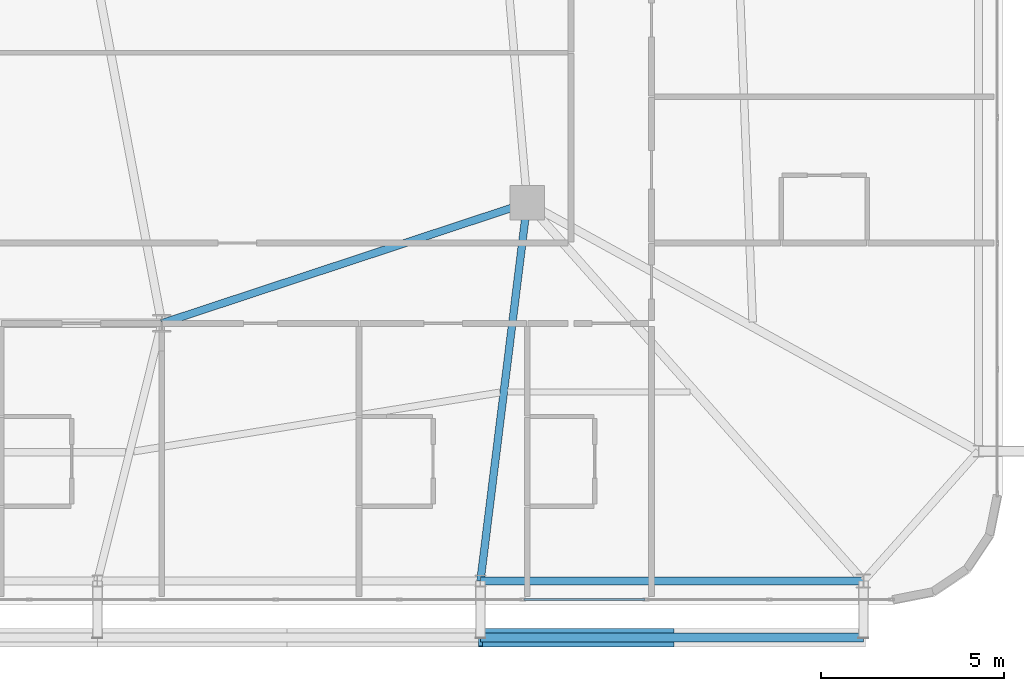
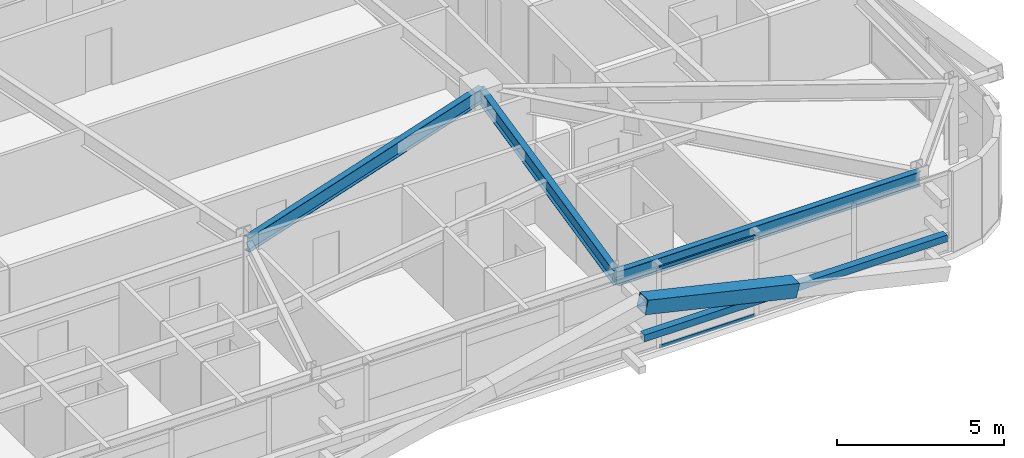
# One storey, part 22 of 59: 4 members, 3 beams, 1 element without a shape of its own.
"""IFC4 building model written with IfcOpenShell, lengths in metres."""

import ifcopenshell
import ifcopenshell.guid

model = None  # the IFC model being written
_history = None  # IfcOwnerHistory: only IFC2X3 demands one
_inside = {}  # id of a spatial element -> (the spatial element, [elements in it])
_under = {}  # id of a project, library or spatial element -> (it, [spatial elements below it])
_declared = {}  # id of a project -> (the project, [libraries it declares])
_typed = {}  # id of a type object -> (the type object, [elements of that type])
_made_of = {}  # id of a material, layer set ... -> (it, [elements and type objects made of it])


def new_model(schema):
    """Start an empty IFC model of exactly this schema.

    Asked for "IFC4X3", IfcOpenShell would pick the latest addendum, in which some entities
    have other attributes; the version numbers below select the first issue.
    IFC2X3 requires an IfcOwnerHistory on every rooted entity: one is made here for all.
    """
    global model, _history
    if schema == "IFC4X3":
        model = ifcopenshell.file(schema_version=(4, 3, 0, 0))
    else:
        model = ifcopenshell.file(schema=schema)
    _inside.clear()
    _under.clear()
    _declared.clear()
    _typed.clear()
    _made_of.clear()
    _history = None
    if model.schema == "IFC2X3":
        org = make("IfcOrganization", Name="unknown")
        user = make(
            "IfcPersonAndOrganization",
            ThePerson=make("IfcPerson", FamilyName="unknown"),
            TheOrganization=org,
        )
        app = make(
            "IfcApplication",
            ApplicationDeveloper=org,
            Version="unknown",
            ApplicationFullName="unknown",
            ApplicationIdentifier="unknown",
        )
        _history = make(
            "IfcOwnerHistory",
            OwningUser=user,
            OwningApplication=app,
            ChangeAction="ADDED",
            CreationDate=0,
        )
    return model


def make(cls, **values):
    """One entity of the class cls with the attributes given. An attribute that is None is left unset."""
    return model.create_entity(
        cls, **{name: value for name, value in values.items() if value is not None}
    )


def rooted(cls, **values):
    """An entity with a GlobalId (a new one), such as an element, a storey or a relation."""
    return make(cls, GlobalId=ifcopenshell.guid.new(), OwnerHistory=_history, **values)


def si_unit(unit_type, name, prefix=None):
    """IfcSIUnit, for example si_unit("LENGTHUNIT", "METRE", prefix="MILLI")."""
    return make("IfcSIUnit", UnitType=unit_type, Prefix=prefix, Name=name)


def assignment(units):
    """IfcUnitAssignment: the units of a project."""
    return None if units is None else make("IfcUnitAssignment", Units=units)


def point(xyz):
    """IfcCartesianPoint."""
    return None if xyz is None else make("IfcCartesianPoint", Coordinates=xyz)


def direction(xyz):
    """IfcDirection."""
    return None if xyz is None else make("IfcDirection", DirectionRatios=xyz)


def frame(location, z_axis=None, x_axis=None):
    """IfcAxis2Placement3D, a coordinate frame: its origin and axes. An axis left out is left unset."""
    return make(
        "IfcAxis2Placement3D",
        Location=point(location),
        Axis=direction(z_axis),
        RefDirection=direction(x_axis),
    )


def frame_2d(location, x_axis=None):
    """IfcAxis2Placement2D, a coordinate frame in the plane: its origin and x axis."""
    return make(
        "IfcAxis2Placement2D", Location=point(location), RefDirection=direction(x_axis)
    )


def origin():
    """The frame at (0, 0, 0) with its axes left unset."""
    return frame((0.0, 0.0, 0.0))


def origin_2d():
    """The frame at (0, 0) in the plane with its x axis left unset."""
    return frame_2d((0.0, 0.0))


def place(relative_to, where):
    """IfcLocalPlacement: puts the frame where relative to a parent placement (None: the world)."""
    return make(
        "IfcLocalPlacement", PlacementRelTo=relative_to, RelativePlacement=where
    )


def context(
    kind, dimensions, precision=None, world=None, true_north=None, identifier=None
):
    """IfcGeometricRepresentationContext, for example the 3D "Model" context."""
    return make(
        "IfcGeometricRepresentationContext",
        ContextIdentifier=identifier,
        ContextType=kind,
        CoordinateSpaceDimension=dimensions,
        Precision=precision,
        WorldCoordinateSystem=world,
        TrueNorth=true_north,
    )


def subcontext(parent, identifier, kind, view, scale=None):
    """IfcGeometricRepresentationSubContext, for example "Body" below "Model"."""
    return make(
        "IfcGeometricRepresentationSubContext",
        ContextIdentifier=identifier,
        ContextType=kind,
        ParentContext=parent,
        TargetScale=scale,
        TargetView=view,
    )


def project(units=None, contexts=None):
    """IfcProject with its units and contexts."""
    return rooted(
        "IfcProject",
        Name="project",
        RepresentationContexts=contexts,
        UnitsInContext=assignment(units),
    )


def spatial(cls, under=None, at=None, **own):
    """A site, building, storey or space (cls), placed at a placement, below another one or the project."""
    s = rooted(cls, ObjectPlacement=at, **own)
    if under is not None:
        _under.setdefault(under.id(), (under, []))[1].append(s)
    return s


def profile(cls, at=None, kind="AREA", **sizes):
    """A parametric profile (cls). Its sizes go by their IFC names, for example OverallWidth=200.0."""
    return make(cls, ProfileType=kind, Position=at, **sizes)


def hollow_rectangle(**sizes):
    """IfcRectangleHollowProfileDef."""
    return profile("IfcRectangleHollowProfileDef", **sizes)


def i_section(**sizes):
    """IfcIShapeProfileDef."""
    return profile("IfcIShapeProfileDef", **sizes)


def extrude(swept, where, along, depth):
    """IfcExtrudedAreaSolid: the profile swept, set in the frame where, extruded along a direction by depth."""
    return make(
        "IfcExtrudedAreaSolid",
        SweptArea=swept,
        Position=where,
        ExtrudedDirection=direction(along),
        Depth=depth,
    )


def shape(context_of_items, identifier, shape_type, items):
    """IfcShapeRepresentation: the items that make up one representation, for example the "Body"."""
    return make(
        "IfcShapeRepresentation",
        ContextOfItems=context_of_items,
        RepresentationIdentifier=identifier,
        RepresentationType=shape_type,
        Items=items,
    )


def source(mapping_origin, context_of_items, identifier, shape_type, items):
    """IfcRepresentationMap: a shape defined once, which mapped items show again and again."""
    return make(
        "IfcRepresentationMap",
        MappingOrigin=mapping_origin,
        MappedRepresentation=shape(context_of_items, identifier, shape_type, items),
    )


def transform(
    local_origin,
    x_axis=None,
    y_axis=None,
    z_axis=None,
    scale=None,
    scale2=None,
    scale3=None,
    uniform=True,
):
    """IfcCartesianTransformationOperator3D, or its non-uniform kind. x_axis, y_axis, z_axis: its Axis1, 2, 3."""
    if uniform:
        return make(
            "IfcCartesianTransformationOperator3D",
            Axis1=direction(x_axis),
            Axis2=direction(y_axis),
            LocalOrigin=point(local_origin),
            Scale=scale,
            Axis3=direction(z_axis),
        )
    return make(
        "IfcCartesianTransformationOperator3DnonUniform",
        Axis1=direction(x_axis),
        Axis2=direction(y_axis),
        LocalOrigin=point(local_origin),
        Scale=scale,
        Axis3=direction(z_axis),
        Scale2=scale2,
        Scale3=scale3,
    )


def mapped(mapping_source, mapping_target):
    """IfcMappedItem: shows the shape of a source again, moved by a transform."""
    return make(
        "IfcMappedItem", MappingSource=mapping_source, MappingTarget=mapping_target
    )


def material(Name=None, Category=None):
    """IfcMaterial."""
    return make("IfcMaterial", Name=Name, Category=Category)


def layer(
    of_material, thickness, ventilated=None, Name=None, Category=None, Priority=None
):
    """IfcMaterialLayer: one layer of a wall or slab, of a material (None: an air gap)."""
    return make(
        "IfcMaterialLayer",
        Material=of_material,
        LayerThickness=thickness,
        IsVentilated=ventilated,
        Name=Name,
        Category=Category,
        Priority=Priority,
    )


def layer_set(layers, Name=None):
    """IfcMaterialLayerSet."""
    return make("IfcMaterialLayerSet", MaterialLayers=layers, LayerSetName=Name)


def material_profile(
    of_material, cross_section, Name=None, Category=None, Priority=None
):
    """IfcMaterialProfile: a cross section and its material."""
    return make(
        "IfcMaterialProfile",
        Name=Name,
        Material=of_material,
        Profile=cross_section,
        Priority=Priority,
        Category=Category,
    )


def profile_set(profiles, Name=None, composite=None):
    """IfcMaterialProfileSet."""
    return make(
        "IfcMaterialProfileSet",
        Name=Name,
        MaterialProfiles=profiles,
        CompositeProfile=composite,
    )


def made_of(thing, what):
    """Note that an element or type object is made of a material, layer set ...; save() writes the relation."""
    if what is not None:
        _made_of.setdefault(what.id(), (what, []))[1].append(thing)
    return thing


def type_object(cls, material=None, **own):
    """A type object (cls), such as IfcWallType, which elements share."""
    return made_of(rooted(cls, **own), material)


def element(
    cls,
    number,
    at=None,
    inside=None,
    cuts=None,
    type_object=None,
    material=None,
    context=None,
    identifier="Body",
    shape_type=None,
    held_by="IfcProductDefinitionShape",
    body=None,
    shapes=None,
    **own,
):
    """One element of the class cls, such as IfcWall. Its Tag is "e" and its number.

    at: its placement. inside: the storey or other place that contains it. cuts: it is an
    opening in that element (IfcRelVoidsElement). A single representation is given by context,
    identifier, shape_type and body (its items); several are given by shapes. held_by: the class
    of the entity that holds the representations. save() writes the other relations.
    """
    e = rooted(cls, Tag="e%d" % number, ObjectPlacement=at, **own)
    if body is not None:
        shapes = [shape(context, identifier, shape_type, body)]
    if shapes is not None:
        e.Representation = make(held_by, Representations=shapes)
    if inside is not None:
        _inside.setdefault(inside.id(), (inside, []))[1].append(e)
    if cuts is not None:
        rooted(
            "IfcRelVoidsElement", RelatingBuildingElement=cuts, RelatedOpeningElement=e
        )
    if type_object is not None:
        _typed.setdefault(type_object.id(), (type_object, []))[1].append(e)
    return made_of(e, material)


def aggregate(whole, parts):
    """IfcRelAggregates: a whole, such as a stair, and the parts it consists of."""
    return rooted("IfcRelAggregates", RelatingObject=whole, RelatedObjects=parts)


def save(model, path):
    """Write the relations noted so far, then the file.

    IfcRelAggregates (storeys below a building ...), IfcRelContainedInSpatialStructure (elements
    in a storey), IfcRelDefinesByType, IfcRelAssociatesMaterial and IfcRelDeclares: one each for
    every whole, place, type object, material and project.
    """
    for whole, parts in _under.values():
        aggregate(whole, parts)
    for where, things in _inside.values():
        rooted(
            "IfcRelContainedInSpatialStructure",
            RelatedElements=things,
            RelatingStructure=where,
        )
    for kind, things in _typed.values():
        rooted("IfcRelDefinesByType", RelatedObjects=things, RelatingType=kind)
    for what, things in _made_of.values():
        rooted("IfcRelAssociatesMaterial", RelatedObjects=things, RelatingMaterial=what)
    for by, libraries in _declared.values():
        rooted("IfcRelDeclares", RelatingContext=by, RelatedDefinitions=libraries)
    model.write(path)


model = new_model("IFC4")

# Units and contexts
model_context = context("Model", 3, precision=1e-05, world=origin(), true_north=direction((0.0, 1.0)))
body_context = subcontext(model_context, "Body", "Model", "MODEL_VIEW")
ifc_project = project(units=[si_unit("LENGTHUNIT", "METRE"), si_unit("AREAUNIT", "SQUARE_METRE"), si_unit("VOLUMEUNIT", "CUBIC_METRE"), si_unit("PLANEANGLEUNIT", "RADIAN"), si_unit("MASSUNIT", "GRAM", prefix="KILO")], contexts=[model_context])

# Site, building, storey
site_placement = place(None, origin())
site = spatial("IfcSite", under=ifc_project, at=site_placement, CompositionType="ELEMENT")
building_placement = place(site_placement, origin())
building = spatial("IfcBuilding", under=site, at=building_placement, Name="Taldren Reach Tower", CompositionType="ELEMENT")
storey_placement = place(building_placement, frame((0.0, 0.0, 19.949951171875)))
storey = spatial("IfcBuildingStorey", under=building, at=storey_placement, Name="L05", CompositionType="ELEMENT", Elevation=19.949951171875)

# Beams
ifc_material_1 = material(Name="Steel Gr 350 (350PLUS)", Category="steel")
ifc_material_profile_1 = material_profile(ifc_material_1, i_section(OverallWidth=0.208984375, OverallDepth=0.532958984375, WebThickness=0.01025390625, FlangeThickness=0.015625, at=origin_2d()), Name="530UB92.4")
ifc_profile_set_1 = profile_set([ifc_material_profile_1], Name="Steel Gr 350 (350PLUS)")
beam_type_1 = type_object("IfcBeamType", Name="BM-UB530A", PredefinedType="BEAM", material=ifc_profile_set_1)
shared_shape_1 = source(origin(), body_context, "Body", "SweptSolid", [
    extrude(i_section(OverallWidth=0.208984375, OverallDepth=0.532958984375, WebThickness=0.01025390625, FlangeThickness=0.015625, at=origin_2d()), origin(), (0.0, 0.0, 1.0), 10.530517578125),
])
beam_1_placement = place(storey_placement, frame((42.0, 9.199951171875, 2.66357421875), z_axis=(0.949627269203, 0.313381635689, 0.0), x_axis=(-0.313381635689, 0.949627269203, 0.0)))
element("IfcBeam", 1, at=beam_1_placement, inside=storey, type_object=beam_type_1, Name="Core-spine girder L05-SP12", PredefinedType="BEAM", context=body_context, shape_type="MappedRepresentation", body=[
    mapped(shared_shape_1, transform((0.0, 0.0, 0.0), scale=1.0)),
])
ifc_material_profile_2 = material_profile(ifc_material_1, i_section(OverallWidth=0.208984375, OverallDepth=0.528076171875, WebThickness=0.009521484375, FlangeThickness=0.01318359375, at=origin_2d()), Name="530UB82.0")
ifc_profile_set_2 = profile_set([ifc_material_profile_2], Name="Steel Gr 350 (350PLUS)")
beam_type_2 = type_object("IfcBeamType", Name="SP-UB530B", PredefinedType="SPANDREL", material=ifc_profile_set_2)
shared_shape_2 = source(origin(), body_context, "Body", "SweptSolid", [
    extrude(i_section(OverallWidth=0.208984375, OverallDepth=0.528076171875, WebThickness=0.009521484375, FlangeThickness=0.01318359375, at=origin_2d()), origin(), (0.0, 0.0, 1.0), 10.47998046875),
])
beam_2_placement = place(storey_placement, frame((50.719970703125, 2.14990234375, 2.666015625), z_axis=(1.0, 0.0, 0.0), x_axis=(0.0, 1.0, 0.0)))
element("IfcBeam", 2, at=beam_2_placement, inside=storey, type_object=beam_type_2, Name="Perimeter spandrel B1 S5-S6 L05", PredefinedType="SPANDREL", context=body_context, shape_type="MappedRepresentation", body=[
    mapped(shared_shape_2, transform((0.0, 0.0, 0.0), scale=1.0)),
])
shared_shape_3 = source(origin(), body_context, "Body", "SweptSolid", [
    extrude(i_section(OverallWidth=0.208984375, OverallDepth=0.532958984375, WebThickness=0.01025390625, FlangeThickness=0.015625, at=origin_2d()), origin(), (0.0, 0.0, 1.0), 10.428955078125),
])
beam_3_placement = place(storey_placement, frame((52.0, 12.5, 2.66357421875), z_axis=(-0.122738080664, -0.992439098159, 0.0), x_axis=(0.992439098159, -0.122738080664, 0.0)))
element("IfcBeam", 3, at=beam_3_placement, inside=storey, type_object=beam_type_1, Name="Primary floor girder B1-S5 L05", PredefinedType="BEAM", context=body_context, shape_type="MappedRepresentation", body=[
    mapped(shared_shape_3, transform((0.0, 0.0, 0.0), scale=1.0)),
])

# Members
ifc_material_2 = material(Name="Steel Gr 450 (C450L0)", Category="steel")
ifc_material_profile_3 = material_profile(ifc_material_2, hollow_rectangle(XDim=0.510009765625, YDim=0.510009765625, WallThickness=0.02001953125, at=origin_2d()), Name="510x510x20.0SHS")
ifc_profile_set_3 = profile_set([ifc_material_profile_3], Name="Steel Gr 450 (C450L0)")
member_type_1 = type_object("IfcMemberType", Name="MB-EXO508", PredefinedType="BRACE", material=ifc_profile_set_3)
shared_shape_4 = source(origin(), body_context, "Body", "SweptSolid", [
    extrude(hollow_rectangle(XDim=0.510009765625, YDim=0.510009765625, WallThickness=0.02001953125, at=origin_2d()), origin(), (0.0, 0.0, 1.0), 5.37890625),
])
member_1_placement = place(storey_placement, frame((55.9599609375, 0.60009765625, 1.43505859375), z_axis=(-0.97415197996, 0.0, 0.225893603143), x_axis=(0.0, -1.0, 0.0)))
element("IfcMember", 4, at=member_1_placement, inside=storey, type_object=member_type_1, Name="Exoskeleton Diagrid Brace B1-S5 L05", PredefinedType="BRACE", context=body_context, shape_type="MappedRepresentation", body=[
    mapped(shared_shape_4, transform((0.0, 0.0, 0.0), scale=1.0)),
])
ifc_material_3 = material(Name="Steel Gr 350 (C350L0)", Category="steel")
ifc_material_profile_4 = material_profile(ifc_material_3, hollow_rectangle(XDim=0.25, YDim=0.25, WallThickness=0.010009765625, at=origin_2d()), Name="250x250x10.0SHS")
ifc_profile_set_4 = profile_set([ifc_material_profile_4], Name="Steel Gr 350 (C350L0)")
member_type_2 = type_object("IfcMemberType", Name="MB-POST250", PredefinedType="POST", material=ifc_profile_set_4)
shared_shape_5 = source(origin(), body_context, "Body", "SweptSolid", [
    extrude(hollow_rectangle(XDim=0.25, YDim=0.25, WallThickness=0.010009765625, at=origin_2d()), origin(), (0.0, 0.0, 1.0), 10.47998046875),
])
member_2_placement = place(storey_placement, frame((50.719970703125, 0.60009765625, 1.43505859375), z_axis=(1.0, 0.0, 0.0), x_axis=(0.0, 1.0, 0.0)))
element("IfcMember", 5, at=member_2_placement, inside=storey, type_object=member_type_2, Name="Exoskeleton mid-height ring chord B1-S5 L05", PredefinedType="POST", context=body_context, shape_type="MappedRepresentation", body=[
    mapped(shared_shape_5, transform((0.0, 0.0, 0.0), scale=1.0)),
])

# Curtain wall, members
ifc_material_4 = material(Name="Aluminium and Low-E Glass Unitised System", Category="aluminium")
ifc_layer = layer(ifc_material_4, 0.159912109375)
ifc_layer_set = layer_set([ifc_layer], Name="Aluminium and Low-E Glass Unitised System")
curtain_wall_type = type_object("IfcCurtainWallType", Name="CW-SYS-2", PredefinedType="NOTDEFINED", material=ifc_layer_set)
curtain_wall_placement = place(storey_placement, origin())
curtain_wall = element("IfcCurtainWall", 6, at=curtain_wall_placement, inside=storey, type_object=curtain_wall_type, Name="Unitised curtain wall CW-L05-S", PredefinedType="NOTDEFINED")
ifc_material_5 = material(Name="Anodised Aluminium 6063-T6", Category="aluminium")
ifc_material_profile_5 = material_profile(ifc_material_5, hollow_rectangle(XDim=0.054931640625, YDim=0.1201171875, WallThickness=0.0029296875, at=origin_2d()), Name="ALU-120x55x3RHS")
ifc_profile_set_5 = profile_set([ifc_material_profile_5], Name="Anodised Aluminium 6063-T6")
member_type_3 = type_object("IfcMemberType", Name="CW-TRN-135", PredefinedType="USERDEFINED", material=ifc_profile_set_5)
shared_shape_6 = source(origin(), body_context, "Body", "SweptSolid", [
    extrude(hollow_rectangle(XDim=0.054931640625, YDim=0.1201171875, WallThickness=0.0029296875, at=origin_2d()), origin(), (0.0, 0.0, 1.0), 3.31005859375),
])
member_3_placement = place(storey_placement, frame((51.907470703125, 1.639892578125, 0.027587890625), z_axis=(1.0, 0.0, 0.0), x_axis=(0.0, 1.0, 0.0)))
member_3 = element("IfcMember", 7, at=member_3_placement, type_object=member_type_3, Name="CW-2 transom 14.1", ObjectType="TRANSOM", PredefinedType="USERDEFINED", context=body_context, shape_type="MappedRepresentation", body=[
    mapped(shared_shape_6, transform((0.0, 0.0, 0.0), scale=1.0)),
])
member_4_placement = place(storey_placement, frame((51.907470703125, 1.639892578125, 2.902587890625), z_axis=(1.0, 0.0, 0.0), x_axis=(0.0, 1.0, 0.0)))
member_4 = element("IfcMember", 8, at=member_4_placement, type_object=member_type_3, Name="CW-2 transom 14.2", ObjectType="TRANSOM", PredefinedType="USERDEFINED", context=body_context, shape_type="MappedRepresentation", body=[
    mapped(shared_shape_6, transform((0.0, 0.0, 0.0), scale=1.0)),
])
aggregate(curtain_wall, [member_3, member_4])

save(model, "model.ifc")
